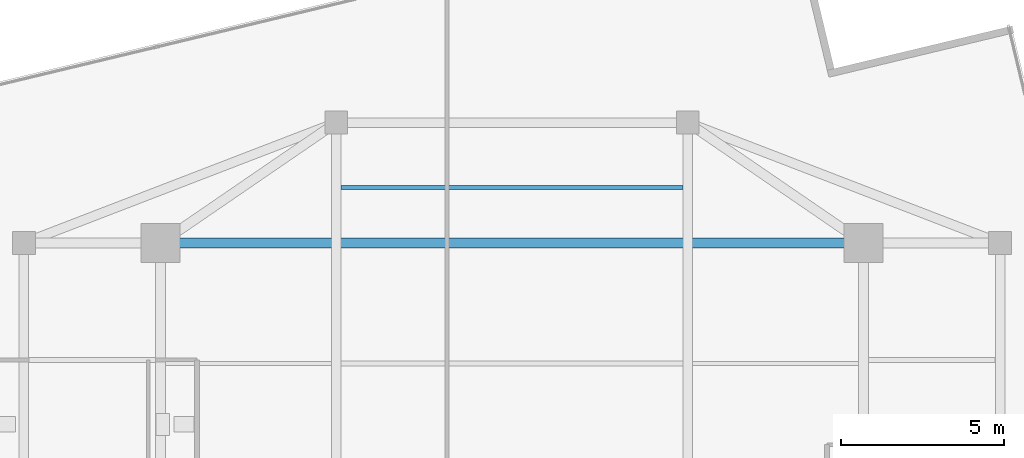
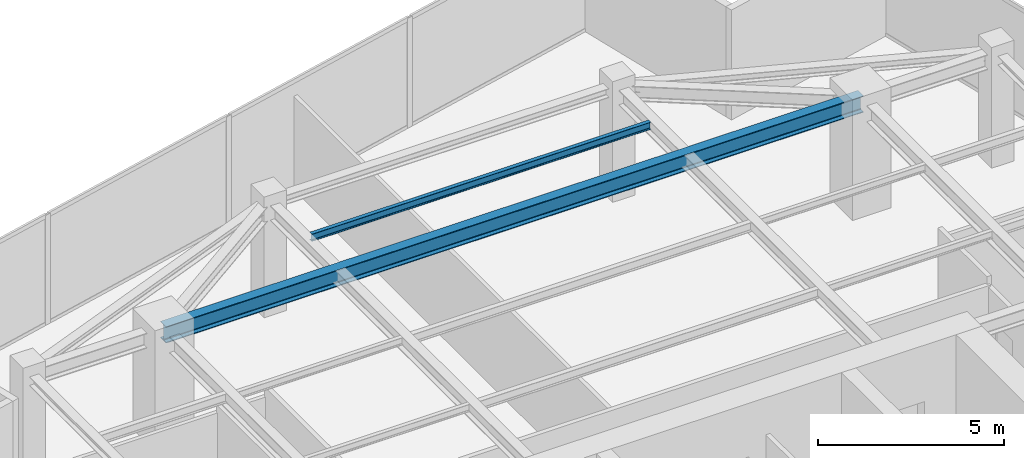
# One storey, part 13 of 22: 2 beams.
"""IFC4 building model written with IfcOpenShell, lengths in metres."""

from ifc_helpers import new_model, si_unit, direction, frame, origin, origin_2d, place, context, subcontext, project, spatial, i_section, extrude, source, transform, mapped, material, material_profile, profile_set, type_object, type_shapes, element, save


model = new_model("IFC4")

# Units and contexts
model_context = context("Model", 3, precision=1e-05, world=origin(), true_north=direction((0.0, 1.0)))
body_context = subcontext(model_context, "Body", "Model", "MODEL_VIEW")
ifc_project = project(units=[si_unit("LENGTHUNIT", "METRE"), si_unit("AREAUNIT", "SQUARE_METRE"), si_unit("VOLUMEUNIT", "CUBIC_METRE"), si_unit("PLANEANGLEUNIT", "RADIAN"), si_unit("MASSUNIT", "GRAM", prefix="KILO")], contexts=[model_context])

# Site, building, storey
site_placement = place(None, origin())
site = spatial("IfcSite", under=ifc_project, at=site_placement, CompositionType="ELEMENT")
building_placement = place(site_placement, origin())
building = spatial("IfcBuilding", under=site, at=building_placement, Name="Krantzveldt Concourse Tower", CompositionType="ELEMENT")
storey_placement = place(building_placement, frame((0.0, 0.0, 359.300048828125)))
storey = spatial("IfcBuildingStorey", under=building, at=storey_placement, Name="L88", CompositionType="ELEMENT", Elevation=359.300048828125)

# Beams
ifc_material = material(Name="Steel S355JR", Category="steel")
ifc_material_profile_1 = material_profile(ifc_material, i_section(OverallWidth=0.300048828125, OverallDepth=0.5400390625, WebThickness=0.012451171875, FlangeThickness=0.02392578125, FilletRadius=0.027099609375, at=origin_2d()), Name="Steel S355JR", Category="steel")
ifc_profile_set_1 = profile_set([ifc_material_profile_1], Name="Steel S355JR - HEA 550")
beam_type_1 = type_object("IfcBeamType", Name="BM-B-HEA550", PredefinedType="BEAM", material=ifc_profile_set_1)
shared_shape_1 = source(origin(), body_context, "Body", "SweptSolid", [
    extrude(i_section(OverallWidth=0.300048828125, OverallDepth=0.5400390625, WebThickness=0.012451171875, FlangeThickness=0.02392578125, FilletRadius=0.027099609375, at=origin_2d()), origin(), (0.0, 0.0, 1.0), 21.60009765625),
])
type_shapes(beam_type_1, [shared_shape_1])
beam_1_placement = place(storey_placement, frame((25.199951171875, 37.5, 3.329833984375), z_axis=(1.0, 0.0, 0.0), x_axis=(0.0, 1.0, 0.0)))
element("IfcBeam", 1, at=beam_1_placement, inside=storey, type_object=beam_type_1, Name="L88 Tower Girder BG-MN", PredefinedType="BEAM", context=body_context, shape_type="MappedRepresentation", body=[
    mapped(shared_shape_1, transform((0.0, 0.0, 0.0), x_axis=(1.0, 0.0, 0.0), y_axis=(0.0, 1.0, 0.0), z_axis=(0.0, 0.0, 1.0), scale=1.0)),
])
ifc_material_profile_2 = material_profile(ifc_material, i_section(OverallWidth=0.1201171875, OverallDepth=0.239990234375, WebThickness=0.006103515625, FlangeThickness=0.009765625, FilletRadius=0.014892578125, at=origin_2d()), Name="Steel S355JR", Category="steel")
ifc_profile_set_2 = profile_set([ifc_material_profile_2], Name="Steel S355JR - IPE 240")
beam_type_2 = type_object("IfcBeamType", Name="BM-LN-IPE240", PredefinedType="LINTEL", material=ifc_profile_set_2)
shared_shape_2 = source(origin(), body_context, "Body", "SweptSolid", [
    extrude(i_section(OverallWidth=0.1201171875, OverallDepth=0.239990234375, WebThickness=0.006103515625, FlangeThickness=0.009765625, FilletRadius=0.014892578125, at=origin_2d()), origin(), (0.0, 0.0, 1.0), 10.5),
])
type_shapes(beam_type_2, [shared_shape_2])
beam_2_placement = place(storey_placement, frame((30.75, 39.199951171875, 3.47998046875), z_axis=(1.0, 0.0, 0.0), x_axis=(0.0, 1.0, 0.0)))
element("IfcBeam", 2, at=beam_2_placement, inside=storey, type_object=beam_type_2, Name="L88 Secondary Floor Joist JN-C3", PredefinedType="LINTEL", context=body_context, shape_type="MappedRepresentation", body=[
    mapped(shared_shape_2, transform((0.0, 0.0, 0.0), x_axis=(1.0, 0.0, 0.0), y_axis=(0.0, 1.0, 0.0), z_axis=(0.0, 0.0, 1.0), scale=1.0)),
])

save(model, "model.ifc")
